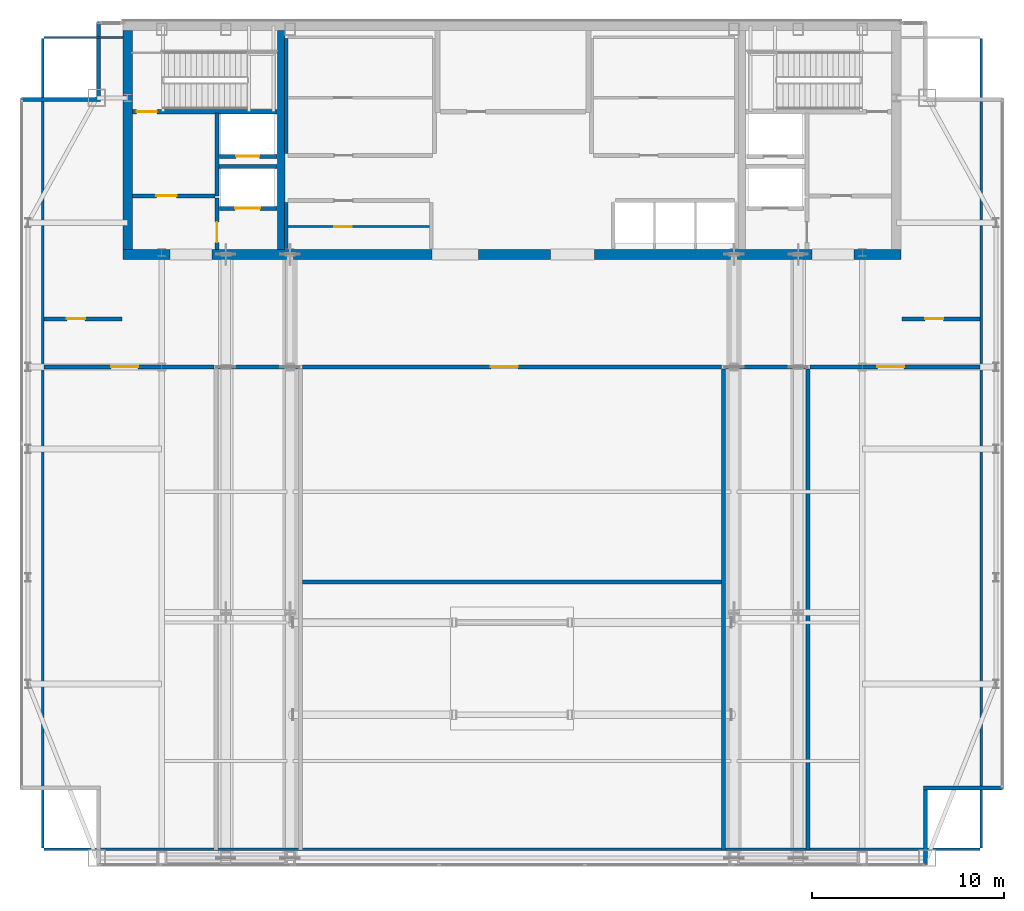
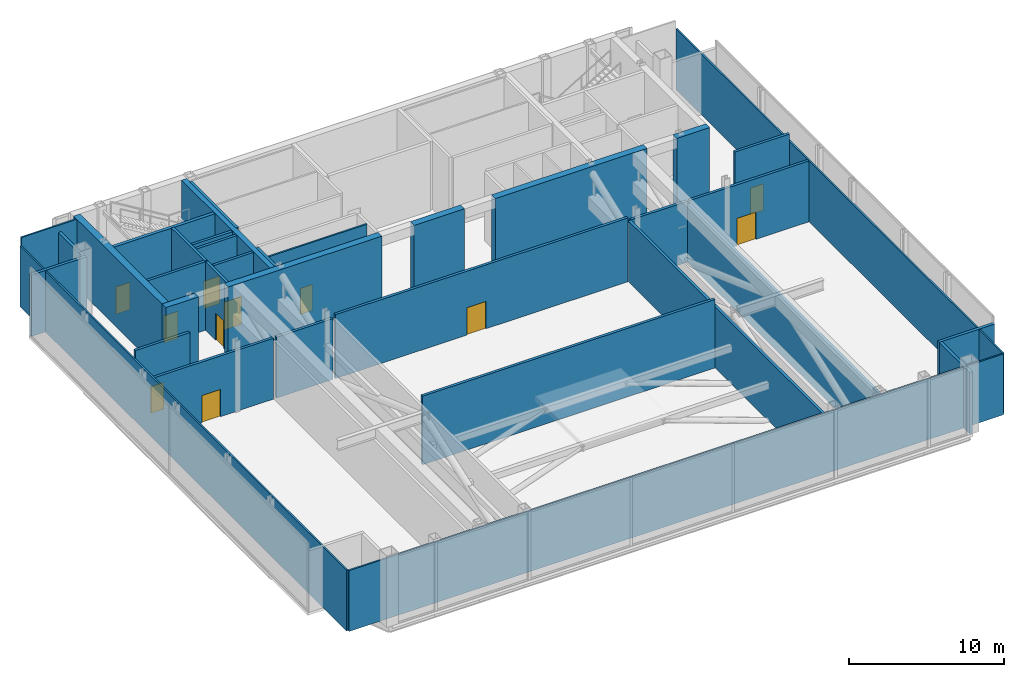
# One storey, part 23 of 26: 35 walls, 11 doors, 11 openings.
"""IFC4 building model written with IfcOpenShell, lengths in metres."""

import ifcopenshell
import ifcopenshell.guid

model = None  # the IFC model being written
_history = None  # IfcOwnerHistory: only IFC2X3 demands one
_inside = {}  # id of a spatial element -> (the spatial element, [elements in it])
_under = {}  # id of a project, library or spatial element -> (it, [spatial elements below it])
_declared = {}  # id of a project -> (the project, [libraries it declares])
_typed = {}  # id of a type object -> (the type object, [elements of that type])
_made_of = {}  # id of a material, layer set ... -> (it, [elements and type objects made of it])


def new_model(schema):
    """Start an empty IFC model of exactly this schema.

    Asked for "IFC4X3", IfcOpenShell would pick the latest addendum, in which some entities
    have other attributes; the version numbers below select the first issue.
    IFC2X3 requires an IfcOwnerHistory on every rooted entity: one is made here for all.
    """
    global model, _history
    if schema == "IFC4X3":
        model = ifcopenshell.file(schema_version=(4, 3, 0, 0))
    else:
        model = ifcopenshell.file(schema=schema)
    _inside.clear()
    _under.clear()
    _declared.clear()
    _typed.clear()
    _made_of.clear()
    _history = None
    if model.schema == "IFC2X3":
        org = make("IfcOrganization", Name="unknown")
        user = make(
            "IfcPersonAndOrganization",
            ThePerson=make("IfcPerson", FamilyName="unknown"),
            TheOrganization=org,
        )
        app = make(
            "IfcApplication",
            ApplicationDeveloper=org,
            Version="unknown",
            ApplicationFullName="unknown",
            ApplicationIdentifier="unknown",
        )
        _history = make(
            "IfcOwnerHistory",
            OwningUser=user,
            OwningApplication=app,
            ChangeAction="ADDED",
            CreationDate=0,
        )
    return model


def make(cls, **values):
    """One entity of the class cls with the attributes given. An attribute that is None is left unset."""
    return model.create_entity(
        cls, **{name: value for name, value in values.items() if value is not None}
    )


def rooted(cls, **values):
    """An entity with a GlobalId (a new one), such as an element, a storey or a relation."""
    return make(cls, GlobalId=ifcopenshell.guid.new(), OwnerHistory=_history, **values)


def si_unit(unit_type, name, prefix=None):
    """IfcSIUnit, for example si_unit("LENGTHUNIT", "METRE", prefix="MILLI")."""
    return make("IfcSIUnit", UnitType=unit_type, Prefix=prefix, Name=name)


def assignment(units):
    """IfcUnitAssignment: the units of a project."""
    return None if units is None else make("IfcUnitAssignment", Units=units)


def point(xyz):
    """IfcCartesianPoint."""
    return None if xyz is None else make("IfcCartesianPoint", Coordinates=xyz)


def direction(xyz):
    """IfcDirection."""
    return None if xyz is None else make("IfcDirection", DirectionRatios=xyz)


def frame(location, z_axis=None, x_axis=None):
    """IfcAxis2Placement3D, a coordinate frame: its origin and axes. An axis left out is left unset."""
    return make(
        "IfcAxis2Placement3D",
        Location=point(location),
        Axis=direction(z_axis),
        RefDirection=direction(x_axis),
    )


def frame_2d(location, x_axis=None):
    """IfcAxis2Placement2D, a coordinate frame in the plane: its origin and x axis."""
    return make(
        "IfcAxis2Placement2D", Location=point(location), RefDirection=direction(x_axis)
    )


def origin():
    """The frame at (0, 0, 0) with its axes left unset."""
    return frame((0.0, 0.0, 0.0))


def place(relative_to, where):
    """IfcLocalPlacement: puts the frame where relative to a parent placement (None: the world)."""
    return make(
        "IfcLocalPlacement", PlacementRelTo=relative_to, RelativePlacement=where
    )


def context(
    kind, dimensions, precision=None, world=None, true_north=None, identifier=None
):
    """IfcGeometricRepresentationContext, for example the 3D "Model" context."""
    return make(
        "IfcGeometricRepresentationContext",
        ContextIdentifier=identifier,
        ContextType=kind,
        CoordinateSpaceDimension=dimensions,
        Precision=precision,
        WorldCoordinateSystem=world,
        TrueNorth=true_north,
    )


def subcontext(parent, identifier, kind, view, scale=None):
    """IfcGeometricRepresentationSubContext, for example "Body" below "Model"."""
    return make(
        "IfcGeometricRepresentationSubContext",
        ContextIdentifier=identifier,
        ContextType=kind,
        ParentContext=parent,
        TargetScale=scale,
        TargetView=view,
    )


def project(units=None, contexts=None):
    """IfcProject with its units and contexts."""
    return rooted(
        "IfcProject",
        Name="project",
        RepresentationContexts=contexts,
        UnitsInContext=assignment(units),
    )


def spatial(cls, under=None, at=None, **own):
    """A site, building, storey or space (cls), placed at a placement, below another one or the project."""
    s = rooted(cls, ObjectPlacement=at, **own)
    if under is not None:
        _under.setdefault(under.id(), (under, []))[1].append(s)
    return s


def profile(cls, at=None, kind="AREA", **sizes):
    """A parametric profile (cls). Its sizes go by their IFC names, for example OverallWidth=200.0."""
    return make(cls, ProfileType=kind, Position=at, **sizes)


def rectangle(**sizes):
    """IfcRectangleProfileDef."""
    return profile("IfcRectangleProfileDef", **sizes)


def extrude(swept, where, along, depth):
    """IfcExtrudedAreaSolid: the profile swept, set in the frame where, extruded along a direction by depth."""
    return make(
        "IfcExtrudedAreaSolid",
        SweptArea=swept,
        Position=where,
        ExtrudedDirection=direction(along),
        Depth=depth,
    )


def shape(context_of_items, identifier, shape_type, items):
    """IfcShapeRepresentation: the items that make up one representation, for example the "Body"."""
    return make(
        "IfcShapeRepresentation",
        ContextOfItems=context_of_items,
        RepresentationIdentifier=identifier,
        RepresentationType=shape_type,
        Items=items,
    )


def material(Name=None, Category=None):
    """IfcMaterial."""
    return make("IfcMaterial", Name=Name, Category=Category)


def layer(
    of_material, thickness, ventilated=None, Name=None, Category=None, Priority=None
):
    """IfcMaterialLayer: one layer of a wall or slab, of a material (None: an air gap)."""
    return make(
        "IfcMaterialLayer",
        Material=of_material,
        LayerThickness=thickness,
        IsVentilated=ventilated,
        Name=Name,
        Category=Category,
        Priority=Priority,
    )


def layer_set(layers, Name=None):
    """IfcMaterialLayerSet."""
    return make("IfcMaterialLayerSet", MaterialLayers=layers, LayerSetName=Name)


def made_of(thing, what):
    """Note that an element or type object is made of a material, layer set ...; save() writes the relation."""
    if what is not None:
        _made_of.setdefault(what.id(), (what, []))[1].append(thing)
    return thing


def type_object(cls, material=None, **own):
    """A type object (cls), such as IfcWallType, which elements share."""
    return made_of(rooted(cls, **own), material)


def element(
    cls,
    number,
    at=None,
    inside=None,
    cuts=None,
    type_object=None,
    material=None,
    context=None,
    identifier="Body",
    shape_type=None,
    held_by="IfcProductDefinitionShape",
    body=None,
    shapes=None,
    **own,
):
    """One element of the class cls, such as IfcWall. Its Tag is "e" and its number.

    at: its placement. inside: the storey or other place that contains it. cuts: it is an
    opening in that element (IfcRelVoidsElement). A single representation is given by context,
    identifier, shape_type and body (its items); several are given by shapes. held_by: the class
    of the entity that holds the representations. save() writes the other relations.
    """
    e = rooted(cls, Tag="e%d" % number, ObjectPlacement=at, **own)
    if body is not None:
        shapes = [shape(context, identifier, shape_type, body)]
    if shapes is not None:
        e.Representation = make(held_by, Representations=shapes)
    if inside is not None:
        _inside.setdefault(inside.id(), (inside, []))[1].append(e)
    if cuts is not None:
        rooted(
            "IfcRelVoidsElement", RelatingBuildingElement=cuts, RelatedOpeningElement=e
        )
    if type_object is not None:
        _typed.setdefault(type_object.id(), (type_object, []))[1].append(e)
    return made_of(e, material)


def fill(opening, filler):
    """IfcRelFillsElement: the door or window that sits in an opening."""
    return rooted(
        "IfcRelFillsElement",
        RelatingOpeningElement=opening,
        RelatedBuildingElement=filler,
    )


def aggregate(whole, parts):
    """IfcRelAggregates: a whole, such as a stair, and the parts it consists of."""
    return rooted("IfcRelAggregates", RelatingObject=whole, RelatedObjects=parts)


def save(model, path):
    """Write the relations noted so far, then the file.

    IfcRelAggregates (storeys below a building ...), IfcRelContainedInSpatialStructure (elements
    in a storey), IfcRelDefinesByType, IfcRelAssociatesMaterial and IfcRelDeclares: one each for
    every whole, place, type object, material and project.
    """
    for whole, parts in _under.values():
        aggregate(whole, parts)
    for where, things in _inside.values():
        rooted(
            "IfcRelContainedInSpatialStructure",
            RelatedElements=things,
            RelatingStructure=where,
        )
    for kind, things in _typed.values():
        rooted("IfcRelDefinesByType", RelatedObjects=things, RelatingType=kind)
    for what, things in _made_of.values():
        rooted("IfcRelAssociatesMaterial", RelatedObjects=things, RelatingMaterial=what)
    for by, libraries in _declared.values():
        rooted("IfcRelDeclares", RelatingContext=by, RelatedDefinitions=libraries)
    model.write(path)


model = new_model("IFC4")

# Units and contexts
model_context = context("Model", 3, precision=1e-05, world=origin(), true_north=direction((0.0, 1.0)))
body_context = subcontext(model_context, "Body", "Model", "MODEL_VIEW")
ifc_project = project(units=[si_unit("LENGTHUNIT", "METRE"), si_unit("AREAUNIT", "SQUARE_METRE"), si_unit("VOLUMEUNIT", "CUBIC_METRE"), si_unit("PLANEANGLEUNIT", "RADIAN"), si_unit("MASSUNIT", "GRAM", prefix="KILO")], contexts=[model_context])

# Site, building, storey
site_placement = place(None, origin())
site = spatial("IfcSite", under=ifc_project, at=site_placement, CompositionType="ELEMENT")
building_placement = place(site_placement, origin())
building = spatial("IfcBuilding", under=site, at=building_placement, Name="Khoronbel Lancet Exchange", CompositionType="ELEMENT")
storey_placement = place(building_placement, frame((0.0, 0.0, 350.60009765625)))
storey = spatial("IfcBuildingStorey", under=building, at=storey_placement, Name="L91", CompositionType="ELEMENT", Elevation=350.60009765625)

# Walls
ifc_material_1 = material(Name="Concrete C60/75", Category="concrete")
ifc_layer_1 = layer(ifc_material_1, 0.5, Name="Concrete C60/75")
ifc_layer_set_1 = layer_set([ifc_layer_1], Name="Concrete C60/75")
wall_type_1 = type_object("IfcWallType", Name="WL-CW4", PredefinedType="SHEAR", material=ifc_layer_set_1)
wall_1_placement = place(storey_placement, frame((16.449951171875, 41.800048828125, 0.0), z_axis=(0.0, 0.0, 1.0), x_axis=(0.0, 1.0, 0.0)))
element("IfcWall", 1, at=wall_1_placement, inside=storey, type_object=wall_type_1, Name="Level L91 rear core west shear wall", PredefinedType="SHEAR", context=body_context, shape_type="SweptSolid", body=[
    extrude(rectangle(XDim=11.39990234375, YDim=0.5, at=frame_2d((5.699951171875, 0.0))), origin(), (0.0, 0.0, 1.0), 5.39990234375),
])
wall_2_placement = place(storey_placement, frame((18.64990234375, 41.550048828125, 0.0), z_axis=(0.0, 0.0, 1.0), x_axis=(-1.0, 0.0, 0.0)))
element("IfcWall", 2, at=wall_2_placement, inside=storey, type_object=wall_type_1, Name="Level L91 rear core south shear wall pier P1", PredefinedType="SHEAR", context=body_context, shape_type="SweptSolid", body=[
    extrude(rectangle(XDim=2.449951171875, YDim=0.5, at=frame_2d((1.22509765625, 0.0))), origin(), (0.0, 0.0, 1.0), 5.39990234375),
])
wall_3_placement = place(storey_placement, frame((32.300048828125, 41.550048828125, 0.0), z_axis=(0.0, 0.0, 1.0), x_axis=(-1.0, 0.0, 0.0)))
element("IfcWall", 3, at=wall_3_placement, inside=storey, type_object=wall_type_1, Name="Level L91 rear core south shear wall pier P2", PredefinedType="SHEAR", context=body_context, shape_type="SweptSolid", body=[
    extrude(rectangle(XDim=11.449951171875, YDim=0.5, at=frame_2d((5.72509765625, 0.0))), origin(), (0.0, 0.0, 1.0), 5.39990234375),
])
wall_4_placement = place(storey_placement, frame((38.449951171875, 41.550048828125, 0.0), z_axis=(0.0, 0.0, 1.0), x_axis=(-1.0, 0.0, 0.0)))
element("IfcWall", 4, at=wall_4_placement, inside=storey, type_object=wall_type_1, Name="Level L91 rear core south shear wall pier P3", PredefinedType="SHEAR", context=body_context, shape_type="SweptSolid", body=[
    extrude(rectangle(XDim=3.75, YDim=0.5, at=frame_2d((1.875, 0.0))), origin(), (0.0, 0.0, 1.0), 5.39990234375),
])
wall_5_placement = place(storey_placement, frame((52.050048828125, 41.550048828125, 0.0), z_axis=(0.0, 0.0, 1.0), x_axis=(-1.0, 0.0, 0.0)))
element("IfcWall", 5, at=wall_5_placement, inside=storey, type_object=wall_type_1, Name="Level L91 rear core south shear wall pier P4", PredefinedType="SHEAR", context=body_context, shape_type="SweptSolid", body=[
    extrude(rectangle(XDim=11.300048828125, YDim=0.5, at=frame_2d((5.64990234375, 0.0))), origin(), (0.0, 0.0, 1.0), 5.39990234375),
])
wall_6_placement = place(storey_placement, frame((56.699951171875, 41.550048828125, 0.0), z_axis=(0.0, 0.0, 1.0), x_axis=(-1.0, 0.0, 0.0)))
element("IfcWall", 6, at=wall_6_placement, inside=storey, type_object=wall_type_1, Name="Level L91 rear core south shear wall pier P5", PredefinedType="SHEAR", context=body_context, shape_type="SweptSolid", body=[
    extrude(rectangle(XDim=2.449951171875, YDim=0.5, at=frame_2d((1.22509765625, 0.0))), origin(), (0.0, 0.0, 1.0), 5.39990234375),
])
ifc_material_2 = material(Name="Precast concrete C40/50", Category="concrete")
ifc_layer_2 = layer(ifc_material_2, 0.25, Name="Precast concrete C40/50")
ifc_layer_set_2 = layer_set([ifc_layer_2], Name="Precast concrete C40/50")
wall_type_2 = type_object("IfcWallType", Name="WL-EXT250", PredefinedType="SOLIDWALL", material=ifc_layer_set_2)
wall_7_placement = place(storey_placement, frame((10.919921875, 49.610107421875, 0.0), z_axis=(0.0, 0.0, 1.0), x_axis=(1.0, 0.0, 0.0)))
element("IfcWall", 7, at=wall_7_placement, inside=storey, type_object=wall_type_2, Name="Level L91 notched-corner limestone pier 04", PredefinedType="SOLIDWALL", context=body_context, shape_type="SweptSolid", body=[
    extrude(rectangle(XDim=4.130126953125, YDim=0.219970703125, at=frame_2d((2.06494140625, 0.0))), origin(), (0.0, 0.0, 1.0), 4.83984375),
])
wall_8_placement = place(storey_placement, frame((14.93994140625, 49.719970703125, 0.0), z_axis=(0.0, 0.0, 1.0), x_axis=(0.0, 1.0, 0.0)))
element("IfcWall", 8, at=wall_8_placement, inside=storey, type_object=wall_type_2, Name="Level L91 notched-corner limestone pier 05", PredefinedType="SOLIDWALL", context=body_context, shape_type="SweptSolid", body=[
    extrude(rectangle(XDim=3.909912109375, YDim=0.219970703125, at=frame_2d((1.955078125, 0.0))), origin(), (0.0, 0.0, 1.0), 4.83984375),
])
wall_9_placement = place(storey_placement, frame((61.97998046875, 13.7900390625, 0.0), z_axis=(0.0, 0.0, 1.0), x_axis=(-1.0, 0.0, 0.0)))
element("IfcWall", 9, at=wall_9_placement, inside=storey, type_object=wall_type_2, Name="Level L91 notched-corner limestone pier 10", PredefinedType="SOLIDWALL", context=body_context, shape_type="SweptSolid", body=[
    extrude(rectangle(XDim=4.1298828125, YDim=0.219970703125, at=frame_2d((2.06494140625, 0.0))), origin(), (0.0, 0.0, 1.0), 4.83984375),
])
wall_10_placement = place(storey_placement, frame((57.9599609375, 13.679931640625, 0.0), z_axis=(0.0, 0.0, 1.0), x_axis=(0.0, -1.0, 0.0)))
element("IfcWall", 10, at=wall_10_placement, inside=storey, type_object=wall_type_2, Name="Level L91 notched-corner limestone pier 11", PredefinedType="SOLIDWALL", context=body_context, shape_type="SweptSolid", body=[
    extrude(rectangle(XDim=3.909912109375, YDim=0.219970703125, at=frame_2d((1.955078125, 0.0))), origin(), (0.0, 0.0, 1.0), 4.83984375),
])
ifc_material_3 = material(Name="Acoustic Metal-Stud & Mineral-Wool Gypsum Partition 120 mm", Category="gypsum")
ifc_layer_3 = layer(ifc_material_3, 0.1201171875, Name="Acoustic Metal-Stud & Mineral-Wool Gypsum Partition 120 mm")
ifc_layer_set_3 = layer_set([ifc_layer_3], Name="Acoustic Metal-Stud & Mineral-Wool Gypsum Partition 120 mm")
wall_type_3 = type_object("IfcWallType", Name="WL-PRT120", PredefinedType="PARTITIONING", material=ifc_layer_set_3)
for number, where, z_axis, x_axis, name in (
    (11, (12.030029296875, 10.6650390625, 0.0), (0.0, 0.0, 1.0), (0.0, 1.0, 0.0), "Level L91 interior partition PW-LIN-W"),
    (12, (60.8701171875, 10.6650390625, 0.0), (0.0, 0.0, 1.0), (0.0, 1.0, 0.0), "Level L91 interior partition PW-LIN-E"),
):
    element("IfcWall", number, at=place(storey_placement, frame(where, z_axis=z_axis, x_axis=x_axis)), inside=storey, type_object=wall_type_3, Name=name, PredefinedType="PARTITIONING", context=body_context, shape_type="SweptSolid", body=[
        extrude(rectangle(XDim=42.10986328125, YDim=0.1201171875, at=frame_2d((21.054931640625, 0.0))), origin(), (0.0, 0.0, 1.0), 4.789794921875),
    ])
wall_11_placement = place(storey_placement, frame((12.094970703125, 52.840087890625, 0.0), z_axis=(0.0, 0.0, 1.0), x_axis=(1.0, 0.0, 0.0)))
element("IfcWall", 13, at=wall_11_placement, inside=storey, type_object=wall_type_3, Name="Level L91 interior partition PW-LIN-NW", PredefinedType="PARTITIONING", context=body_context, shape_type="SweptSolid", body=[
    extrude(rectangle(XDim=4.10498046875, YDim=0.1201171875, at=frame_2d((2.052490234375, 0.0))), origin(), (0.0, 0.0, 1.0), 5.39990234375),
])
wall_12_placement = place(storey_placement, frame((12.094970703125, 10.60009765625, 0.0), z_axis=(0.0, 0.0, 1.0), x_axis=(1.0, 0.0, 0.0)))
element("IfcWall", 14, at=wall_12_placement, inside=storey, type_object=wall_type_3, Name="Level L91 interior partition PW-LIN-S", PredefinedType="PARTITIONING", context=body_context, shape_type="SweptSolid", body=[
    extrude(rectangle(XDim=48.7099609375, YDim=0.1201171875, at=frame_2d((24.35498046875, 0.0))), origin(), (0.0, 0.0, 1.0), 4.789794921875),
])

# Wall, opening, door
ifc_material_4 = material(Name="Fire-Rated Metal-Stud & Mineral-Wool Gypsum Partition 120 mm", Category="gypsum")
ifc_layer_4 = layer(ifc_material_4, 0.1201171875, Name="Fire-Rated Metal-Stud & Mineral-Wool Gypsum Partition 120 mm")
ifc_layer_set_4 = layer_set([ifc_layer_4], Name="Fire-Rated Metal-Stud & Mineral-Wool Gypsum Partition 120 mm")
wall_type_4 = type_object("IfcWallType", Name="WL-PRT120F", PredefinedType="PARTITIONING", material=ifc_layer_set_4)
wall_13_placement = place(storey_placement, frame((24.804931640625, 43.001953125, 0.0), z_axis=(0.0, 0.0, 1.0), x_axis=(1.0, 0.0, 0.0)))
wall_13 = element("IfcWall", 15, at=wall_13_placement, inside=storey, type_object=wall_type_4, Name="Level L91 interior partition CW-PM-RH", PredefinedType="PARTITIONING", context=body_context, shape_type="SweptSolid", body=[
    extrude(rectangle(XDim=7.340087890625, YDim=0.1201171875, at=frame_2d((3.669921875, 0.0))), origin(), (0.0, 0.0, 1.0), 5.39990234375),
])
opening_1_placement = place(wall_13_placement, frame((2.39990234375, 0.0, 0.0)))
opening_1 = element("IfcOpeningElement", 16, at=opening_1_placement, cuts=wall_13, Name="Opening FD4", PredefinedType="OPENING", context=body_context, shape_type="SweptSolid", body=[
    extrude(rectangle(XDim=0.89990234375, YDim=2.050048828125, at=frame_2d((0.449951171875, 1.02490234375))), frame((0.0, 0.070068359375, 0.0), z_axis=(0.0, -1.0, 0.0), x_axis=(1.0, 0.0, 0.0)), (0.0, 0.0, 1.0), 0.14013671875),
])
ifc_material_5 = material(Name="Fire-Rated Steel Core Support Door Assembly", Category="steel")
door_type_1 = type_object("IfcDoorType", Name="DR-FD4", OperationType="NOTDEFINED", PredefinedType="DOOR", material=ifc_material_5)
door_1_placement = place(opening_1_placement, origin())
door_1 = element("IfcDoor", 17, at=door_1_placement, inside=storey, type_object=door_type_1, Name="Core PM inner store door L91-1", OperationType="SINGLE_SWING_LEFT", OverallHeight=2.050048828125, OverallWidth=0.89990234375, PredefinedType="DOOR", context=body_context, shape_type="SweptSolid", body=[
    extrude(rectangle(XDim=0.89990234375, YDim=2.050048828125, at=frame_2d((0.449951171875, 1.02490234375))), frame((0.0, 0.02490234375, 0.0), z_axis=(0.0, -1.0, 0.0), x_axis=(1.0, 0.0, 0.0)), (0.0, 0.0, 1.0), 0.050048828125),
])
fill(opening_1, door_1)

ifc_material_6 = material(Name="Autoclaved Aerated Concrete Blockwork 200 mm", Category="masonry")
ifc_layer_5 = layer(ifc_material_6, 0.199951171875, Name="Autoclaved Aerated Concrete Blockwork 200 mm")
ifc_layer_set_5 = layer_set([ifc_layer_5], Name="Autoclaved Aerated Concrete Blockwork 200 mm")
wall_type_5 = type_object("IfcWallType", Name="WL-PRT200", PredefinedType="PARTITIONING", material=ifc_layer_set_5)
wall_14_placement = place(storey_placement, frame((24.2099609375, 43.949951171875, 0.0), z_axis=(0.0, 0.0, 1.0), x_axis=(-1.0, 0.0, 0.0)))
wall_14 = element("IfcWall", 18, at=wall_14_placement, inside=storey, type_object=wall_type_5, Name="Level L91 elevator hoistway landing front wall SVLW", PredefinedType="PARTITIONING", context=body_context, shape_type="SweptSolid", body=[
    extrude(rectangle(XDim=2.969970703125, YDim=0.199951171875, at=frame_2d((1.48486328125, 0.0))), origin(), (0.0, 0.0, 1.0), 5.39990234375),
])
opening_2_placement = place(wall_14_placement, frame((0.860107421875, 0.0, 0.0)))
opening_2 = element("IfcOpeningElement", 19, at=opening_2_placement, cuts=wall_14, Name="Opening LD-SVL1", PredefinedType="OPENING", context=body_context, shape_type="SweptSolid", body=[
    extrude(rectangle(XDim=1.300048828125, YDim=2.179931640625, at=frame_2d((0.64990234375, 1.08984375))), frame((0.0, 0.10986328125, 0.0), z_axis=(0.0, -1.0, 0.0), x_axis=(1.0, 0.0, 0.0)), (0.0, 0.0, 1.0), 0.219970703125),
])
ifc_material_7 = material(Name="Heavy-Duty Bi-Parting Goods Lift Landing Door", Category="steel")
door_type_2 = type_object("IfcDoorType", Name="DR-LD-SVL", OperationType="NOTDEFINED", PredefinedType="DOOR", material=ifc_material_7)
door_2_placement = place(opening_2_placement, origin())
door_2 = element("IfcDoor", 20, at=door_2_placement, inside=storey, type_object=door_type_2, Name="Elevator landing sliding door LD-SVL1 L91", OperationType="SLIDING_TO_LEFT", OverallHeight=2.179931640625, OverallWidth=1.300048828125, PredefinedType="DOOR", context=body_context, shape_type="SweptSolid", body=[
    extrude(rectangle(XDim=1.300048828125, YDim=2.179931640625, at=frame_2d((0.64990234375, 1.08984375))), frame((0.0, 0.02490234375, 0.0), z_axis=(0.0, -1.0, 0.0), x_axis=(1.0, 0.0, 0.0)), (0.0, 0.0, 1.0), 0.050048828125),
])
fill(opening_2, door_2)

wall_15_placement = place(storey_placement, frame((24.2099609375, 46.64990234375, 0.0), z_axis=(0.0, 0.0, 1.0), x_axis=(-1.0, 0.0, 0.0)))
wall_15 = element("IfcWall", 21, at=wall_15_placement, inside=storey, type_object=wall_type_5, Name="Level L91 elevator hoistway landing front wall FFLW", PredefinedType="PARTITIONING", context=body_context, shape_type="SweptSolid", body=[
    extrude(rectangle(XDim=2.969970703125, YDim=0.199951171875, at=frame_2d((1.48486328125, 0.0))), origin(), (0.0, 0.0, 1.0), 5.39990234375),
])
opening_3_placement = place(wall_15_placement, frame((0.909912109375, 0.0, 0.0)))
opening_3 = element("IfcOpeningElement", 22, at=opening_3_placement, cuts=wall_15, Name="Opening LD-FFL1", PredefinedType="OPENING", context=body_context, shape_type="SweptSolid", body=[
    extrude(rectangle(XDim=1.199951171875, YDim=2.179931640625, at=frame_2d((0.60009765625, 1.08984375))), frame((0.0, 0.10986328125, 0.0), z_axis=(0.0, -1.0, 0.0), x_axis=(1.0, 0.0, 0.0)), (0.0, 0.0, 1.0), 0.219970703125),
])
ifc_material_8 = material(Name="Fire-Rated Stainless Bi-Parting Firefighting Lift Door", Category="steel")
door_type_3 = type_object("IfcDoorType", Name="DR-LD-FFL", OperationType="NOTDEFINED", PredefinedType="DOOR", material=ifc_material_8)
door_3_placement = place(opening_3_placement, origin())
door_3 = element("IfcDoor", 23, at=door_3_placement, inside=storey, type_object=door_type_3, Name="Elevator landing sliding door LD-FFL1 L91", OperationType="SLIDING_TO_LEFT", OverallHeight=2.179931640625, OverallWidth=1.199951171875, PredefinedType="DOOR", context=body_context, shape_type="SweptSolid", body=[
    extrude(rectangle(XDim=1.199951171875, YDim=2.179931640625, at=frame_2d((0.60009765625, 1.08984375))), frame((0.0, 0.02490234375, 0.0), z_axis=(0.0, -1.0, 0.0), x_axis=(1.0, 0.0, 0.0)), (0.0, 0.0, 1.0), 0.050048828125),
])
fill(opening_3, door_3)

# Wall
wall_16_placement = place(storey_placement, frame((21.10009765625, 44.60009765625, 0.0), z_axis=(0.0, 0.0, 1.0), x_axis=(0.0, 1.0, 0.0)))
element("IfcWall", 24, at=wall_16_placement, inside=storey, type_object=wall_type_5, Name="Level L91 interior partition CW-FFLW-E", PredefinedType="PARTITIONING", context=body_context, shape_type="SweptSolid", body=[
    extrude(rectangle(XDim=4.2998046875, YDim=0.199951171875, at=frame_2d((2.14990234375, 0.0))), origin(), (0.0, 0.0, 1.0), 5.39990234375),
])

# Wall, opening, door
wall_17_placement = place(storey_placement, frame((16.699951171875, 44.60009765625, 0.0), z_axis=(0.0, 0.0, 1.0), x_axis=(1.0, 0.0, 0.0)))
wall_17 = element("IfcWall", 25, at=wall_17_placement, inside=storey, type_object=wall_type_5, Name="Level L91 interior partition CW-FFLW-S", PredefinedType="PARTITIONING", context=body_context, shape_type="SweptSolid", body=[
    extrude(rectangle(XDim=4.300048828125, YDim=0.199951171875, at=frame_2d((2.14990234375, 0.0))), origin(), (0.0, 0.0, 1.0), 5.39990234375),
])
opening_4_placement = place(wall_17_placement, frame((1.25, 0.0, 0.0)))
opening_4 = element("IfcOpeningElement", 26, at=opening_4_placement, cuts=wall_17, Name="Opening FD1", PredefinedType="OPENING", context=body_context, shape_type="SweptSolid", body=[
    extrude(rectangle(XDim=1.050048828125, YDim=2.14990234375, at=frame_2d((0.52490234375, 1.074951171875))), frame((0.0, 0.10986328125, 0.0), z_axis=(0.0, -1.0, 0.0), x_axis=(1.0, 0.0, 0.0)), (0.0, 0.0, 1.0), 0.219970703125),
])
ifc_material_9 = material(Name="Fire-Rated Painted Steel Door Assembly", Category="steel")
door_type_4 = type_object("IfcDoorType", Name="DR-FD1", OperationType="NOTDEFINED", PredefinedType="DOOR", material=ifc_material_9)
door_4_placement = place(opening_4_placement, origin())
door_4 = element("IfcDoor", 27, at=door_4_placement, inside=storey, type_object=door_type_4, Name="West firefighting lobby FD90S door L91-1", OperationType="SINGLE_SWING_LEFT", OverallHeight=2.14990234375, OverallWidth=1.050048828125, PredefinedType="DOOR", context=body_context, shape_type="SweptSolid", body=[
    extrude(rectangle(XDim=1.050048828125, YDim=2.14990234375, at=frame_2d((0.52490234375, 1.074951171875))), frame((0.0, 0.02490234375, 0.0), z_axis=(0.0, -1.0, 0.0), x_axis=(1.0, 0.0, 0.0)), (0.0, 0.0, 1.0), 0.050048828125),
])
fill(opening_4, door_4)

# Wall
wall_18_placement = place(storey_placement, frame((21.199951171875, 46.1201171875, 0.0), z_axis=(0.0, 0.0, 1.0), x_axis=(1.0, 0.0, 0.0)))
element("IfcWall", 28, at=wall_18_placement, inside=storey, type_object=wall_type_5, Name="Level L91 interior partition CW-FFL1-S", PredefinedType="PARTITIONING", context=body_context, shape_type="SweptSolid", body=[
    extrude(rectangle(XDim=3.02001953125, YDim=0.199951171875, at=frame_2d((1.510009765625, 0.0))), origin(), (0.0, 0.0, 1.0), 5.39990234375),
])

# Wall, opening, door
wall_19_placement = place(storey_placement, frame((21.10009765625, 41.800048828125, 0.0), z_axis=(0.0, 0.0, 1.0), x_axis=(0.0, 1.0, 0.0)))
wall_19 = element("IfcWall", 29, at=wall_19_placement, inside=storey, type_object=wall_type_5, Name="Level L91 interior partition CW-SVLW-W", PredefinedType="PARTITIONING", context=body_context, shape_type="SweptSolid", body=[
    extrude(rectangle(XDim=2.695068359375, YDim=0.199951171875, at=frame_2d((1.34765625, 0.0))), origin(), (0.0, 0.0, 1.0), 5.39990234375),
])
opening_5_placement = place(wall_19_placement, frame((0.3798828125, 0.0, 0.0)))
opening_5 = element("IfcOpeningElement", 30, at=opening_5_placement, cuts=wall_19, Name="Opening FD1", PredefinedType="OPENING", context=body_context, shape_type="SweptSolid", body=[
    extrude(rectangle(XDim=1.050048828125, YDim=2.14990234375, at=frame_2d((0.52490234375, 1.074951171875))), frame((0.0, 0.10986328125, 0.0), z_axis=(0.0, -1.0, 0.0), x_axis=(1.0, 0.0, 0.0)), (0.0, 0.0, 1.0), 0.219970703125),
])
door_5_placement = place(opening_5_placement, origin())
door_5 = element("IfcDoor", 31, at=door_5_placement, inside=storey, type_object=door_type_4, Name="West service lift lobby door L91-1", OperationType="SINGLE_SWING_RIGHT", OverallHeight=2.14990234375, OverallWidth=1.050048828125, PredefinedType="DOOR", context=body_context, shape_type="SweptSolid", body=[
    extrude(rectangle(XDim=1.050048828125, YDim=2.14990234375, at=frame_2d((0.52490234375, 1.074951171875))), frame((0.0, 0.02490234375, 0.0), z_axis=(0.0, -1.0, 0.0), x_axis=(1.0, 0.0, 0.0)), (0.0, 0.0, 1.0), 0.050048828125),
])
fill(opening_5, door_5)

# Walls
wall_20_placement = place(storey_placement, frame((24.699951171875, 46.804931640625, 0.0), z_axis=(0.0, 0.0, 1.0), x_axis=(0.0, 1.0, 0.0)))
element("IfcWall", 32, at=wall_20_placement, inside=storey, type_object=wall_type_5, Name="Level L91 interior partition CW-PL-RW", PredefinedType="PARTITIONING", context=body_context, shape_type="SweptSolid", body=[
    extrude(rectangle(XDim=5.989990234375, YDim=0.199951171875, at=frame_2d((2.9951171875, 0.0))), origin(), (0.0, 0.0, 1.0), 5.39990234375),
])
wall_21_placement = place(storey_placement, frame((24.699951171875, 41.85009765625, 0.0), z_axis=(0.0, 0.0, 1.0), x_axis=(0.0, 1.0, 0.0)))
element("IfcWall", 33, at=wall_21_placement, inside=storey, type_object=wall_type_5, Name="Level L91 interior partition CW-PM-RW", PredefinedType="PARTITIONING", context=body_context, shape_type="SweptSolid", body=[
    extrude(rectangle(XDim=2.39501953125, YDim=0.199951171875, at=frame_2d((1.197509765625, 0.0))), origin(), (0.0, 0.0, 1.0), 5.39990234375),
])

# Wall, opening, door
wall_22_placement = place(storey_placement, frame((12.094970703125, 35.699951171875, 0.0), z_axis=(0.0, 0.0, 1.0), x_axis=(1.0, 0.0, 0.0)))
wall_22 = element("IfcWall", 34, at=wall_22_placement, inside=storey, type_object=wall_type_5, Name="Level L91 interior partition PW-TMD-S1", PredefinedType="PARTITIONING", context=body_context, shape_type="SweptSolid", body=[
    extrude(rectangle(XDim=8.85009765625, YDim=0.199951171875, at=frame_2d((4.425048828125, 0.0))), origin(), (0.0, 0.0, 1.0), 4.789794921875),
])
opening_6_placement = place(wall_22_placement, frame((3.5, 0.0, 0.0)))
opening_6 = element("IfcOpeningElement", 35, at=opening_6_placement, cuts=wall_22, Name="Opening D7", PredefinedType="OPENING", context=body_context, shape_type="SweptSolid", body=[
    extrude(rectangle(XDim=1.39990234375, YDim=2.14990234375, at=frame_2d((0.699951171875, 1.074951171875))), frame((0.0, 0.10986328125, 0.0), z_axis=(0.0, -1.0, 0.0), x_axis=(1.0, 0.0, 0.0)), (0.0, 0.0, 1.0), 0.219970703125),
])
ifc_material_10 = material(Name="Fire-Rated Heavy Plant Double Door Assembly", Category="steel")
door_type_5 = type_object("IfcDoorType", Name="DR-D7", OperationType="NOTDEFINED", PredefinedType="DOOR", material=ifc_material_10)
door_6_placement = place(opening_6_placement, origin())
door_6 = element("IfcDoor", 36, at=door_6_placement, inside=storey, type_object=door_type_5, Name="Damper hydraulic plant door L91-1", OperationType="DOUBLE_DOOR_SINGLE_SWING", OverallHeight=2.14990234375, OverallWidth=1.39990234375, PredefinedType="DOOR", context=body_context, shape_type="SweptSolid", body=[
    extrude(rectangle(XDim=1.39990234375, YDim=2.14990234375, at=frame_2d((0.699951171875, 1.074951171875))), frame((0.0, 0.02490234375, 0.0), z_axis=(0.0, -1.0, 0.0), x_axis=(1.0, 0.0, 0.0)), (0.0, 0.0, 1.0), 0.050048828125),
])
fill(opening_6, door_6)

# Wall
wall_23_placement = place(storey_placement, frame((21.155029296875, 35.699951171875, 0.0), z_axis=(0.0, 0.0, 1.0), x_axis=(1.0, 0.0, 0.0)))
element("IfcWall", 37, at=wall_23_placement, inside=storey, type_object=wall_type_5, Name="Level L91 interior partition PW-TMD-S2", PredefinedType="PARTITIONING", context=body_context, shape_type="SweptSolid", body=[
    extrude(rectangle(XDim=4.18994140625, YDim=0.199951171875, at=frame_2d((2.094970703125, 0.0))), origin(), (0.0, 0.0, 1.0), 4.789794921875),
])

# Wall, opening, door
wall_24_placement = place(storey_placement, frame((25.554931640625, 35.699951171875, 0.0), z_axis=(0.0, 0.0, 1.0), x_axis=(1.0, 0.0, 0.0)))
wall_24 = element("IfcWall", 38, at=wall_24_placement, inside=storey, type_object=wall_type_5, Name="Level L91 interior partition PW-TMD-S3", PredefinedType="PARTITIONING", context=body_context, shape_type="SweptSolid", body=[
    extrude(rectangle(XDim=21.7900390625, YDim=0.199951171875, at=frame_2d((10.89501953125, 0.0))), origin(), (0.0, 0.0, 1.0), 5.02978515625),
])
opening_7_placement = place(wall_24_placement, frame((9.800048828125, 0.0, 0.0)))
opening_7 = element("IfcOpeningElement", 39, at=opening_7_placement, cuts=wall_24, Name="Opening D7", PredefinedType="OPENING", context=body_context, shape_type="SweptSolid", body=[
    extrude(rectangle(XDim=1.39990234375, YDim=2.14990234375, at=frame_2d((0.699951171875, 1.074951171875))), frame((0.0, 0.10986328125, 0.0), z_axis=(0.0, -1.0, 0.0), x_axis=(1.0, 0.0, 0.0)), (0.0, 0.0, 1.0), 0.219970703125),
])
door_7_placement = place(opening_7_placement, origin())
door_7 = element("IfcDoor", 40, at=door_7_placement, inside=storey, type_object=door_type_5, Name="Tuned mass damper chamber double door L91-1", OperationType="DOUBLE_DOOR_SINGLE_SWING", OverallHeight=2.14990234375, OverallWidth=1.39990234375, PredefinedType="DOOR", context=body_context, shape_type="SweptSolid", body=[
    extrude(rectangle(XDim=1.39990234375, YDim=2.14990234375, at=frame_2d((0.699951171875, 1.074951171875))), frame((0.0, 0.02490234375, 0.0), z_axis=(0.0, -1.0, 0.0), x_axis=(1.0, 0.0, 0.0)), (0.0, 0.0, 1.0), 0.050048828125),
])
fill(opening_7, door_7)

# Wall
wall_25_placement = place(storey_placement, frame((47.554931640625, 35.699951171875, 0.0), z_axis=(0.0, 0.0, 1.0), x_axis=(1.0, 0.0, 0.0)))
element("IfcWall", 41, at=wall_25_placement, inside=storey, type_object=wall_type_5, Name="Level L91 interior partition PW-TMD-S4", PredefinedType="PARTITIONING", context=body_context, shape_type="SweptSolid", body=[
    extrude(rectangle(XDim=4.190185546875, YDim=0.199951171875, at=frame_2d((2.09521484375, 0.0))), origin(), (0.0, 0.0, 1.0), 4.789794921875),
])

# Wall, opening, door
wall_26_placement = place(storey_placement, frame((51.955078125, 35.699951171875, 0.0), z_axis=(0.0, 0.0, 1.0), x_axis=(1.0, 0.0, 0.0)))
wall_26 = element("IfcWall", 42, at=wall_26_placement, inside=storey, type_object=wall_type_5, Name="Level L91 interior partition PW-TMD-S5", PredefinedType="PARTITIONING", context=body_context, shape_type="SweptSolid", body=[
    extrude(rectangle(XDim=8.849853515625, YDim=0.199951171875, at=frame_2d((4.4248046875, 0.0))), origin(), (0.0, 0.0, 1.0), 4.789794921875),
])
opening_8_placement = place(wall_26_placement, frame((3.5, 0.0, 0.0)))
opening_8 = element("IfcOpeningElement", 43, at=opening_8_placement, cuts=wall_26, Name="Opening D7", PredefinedType="OPENING", context=body_context, shape_type="SweptSolid", body=[
    extrude(rectangle(XDim=1.39990234375, YDim=2.14990234375, at=frame_2d((0.699951171875, 1.074951171875))), frame((0.0, 0.10986328125, 0.0), z_axis=(0.0, -1.0, 0.0), x_axis=(1.0, 0.0, 0.0)), (0.0, 0.0, 1.0), 0.219970703125),
])
door_8_placement = place(opening_8_placement, origin())
door_8 = element("IfcDoor", 44, at=door_8_placement, inside=storey, type_object=door_type_5, Name="Crown telemetry plant door L91-1", OperationType="DOUBLE_DOOR_SINGLE_SWING", OverallHeight=2.14990234375, OverallWidth=1.39990234375, PredefinedType="DOOR", context=body_context, shape_type="SweptSolid", body=[
    extrude(rectangle(XDim=1.39990234375, YDim=2.14990234375, at=frame_2d((0.699951171875, 1.074951171875))), frame((0.0, 0.02490234375, 0.0), z_axis=(0.0, -1.0, 0.0), x_axis=(1.0, 0.0, 0.0)), (0.0, 0.0, 1.0), 0.050048828125),
])
fill(opening_8, door_8)

# Walls
wall_27_placement = place(storey_placement, frame((47.449951171875, 10.56494140625, 0.0), z_axis=(0.0, 0.0, 1.0), x_axis=(0.0, 1.0, 0.0)))
element("IfcWall", 45, at=wall_27_placement, inside=storey, type_object=wall_type_5, Name="Level L91 interior partition PW-TMD-E2", PredefinedType="PARTITIONING", context=body_context, shape_type="SweptSolid", body=[
    extrude(rectangle(XDim=25.030029296875, YDim=0.199951171875, at=frame_2d((12.51513671875, 0.0))), origin(), (0.0, 0.0, 1.0), 4.789794921875),
])
wall_28_placement = place(storey_placement, frame((51.85009765625, 10.56494140625, 0.0), z_axis=(0.0, 0.0, 1.0), x_axis=(0.0, 1.0, 0.0)))
element("IfcWall", 46, at=wall_28_placement, inside=storey, type_object=wall_type_5, Name="Level L91 interior partition PW-TMD-E1", PredefinedType="PARTITIONING", context=body_context, shape_type="SweptSolid", body=[
    extrude(rectangle(XDim=25.030029296875, YDim=0.199951171875, at=frame_2d((12.51513671875, 0.0))), origin(), (0.0, 0.0, 1.0), 4.58984375),
])
wall_29_placement = place(storey_placement, frame((25.554931640625, 24.5, 0.0), z_axis=(0.0, 0.0, 1.0), x_axis=(1.0, 0.0, 0.0)))
element("IfcWall", 47, at=wall_29_placement, inside=storey, type_object=wall_type_5, Name="Level L91 interior partition PW-TMD-DIV", PredefinedType="PARTITIONING", context=body_context, shape_type="SweptSolid", body=[
    extrude(rectangle(XDim=21.7900390625, YDim=0.199951171875, at=frame_2d((10.89501953125, 0.0))), origin(), (0.0, 0.0, 1.0), 5.39990234375),
])

# Wall, opening, door
wall_30_placement = place(storey_placement, frame((12.094970703125, 38.199951171875, 0.0), z_axis=(0.0, 0.0, 1.0), x_axis=(1.0, 0.0, 0.0)))
wall_30 = element("IfcWall", 48, at=wall_30_placement, inside=storey, type_object=wall_type_5, Name="Level L91 interior partition PW-TMD-NW", PredefinedType="PARTITIONING", context=body_context, shape_type="SweptSolid", body=[
    extrude(rectangle(XDim=4.06494140625, YDim=0.199951171875, at=frame_2d((2.032470703125, 0.0))), origin(), (0.0, 0.0, 1.0), 5.39990234375),
])
opening_9_placement = place(wall_30_placement, frame((1.199951171875, 0.0, 0.0)))
opening_9 = element("IfcOpeningElement", 49, at=opening_9_placement, cuts=wall_30, Name="Opening FD3", PredefinedType="OPENING", context=body_context, shape_type="SweptSolid", body=[
    extrude(rectangle(XDim=0.949951171875, YDim=2.10009765625, at=frame_2d((0.47509765625, 1.050048828125))), frame((0.0, 0.10986328125, 0.0), z_axis=(0.0, -1.0, 0.0), x_axis=(1.0, 0.0, 0.0)), (0.0, 0.0, 1.0), 0.219970703125),
])
ifc_material_11 = material(Name="Fire-Rated Steel Plant & Riser Door Assembly", Category="steel")
door_type_6 = type_object("IfcDoorType", Name="DR-FD3", OperationType="NOTDEFINED", PredefinedType="DOOR", material=ifc_material_11)
door_9_placement = place(opening_9_placement, origin())
door_9 = element("IfcDoor", 50, at=door_9_placement, inside=storey, type_object=door_type_6, Name="Crown pressurisation fan door L91-1", OperationType="SINGLE_SWING_LEFT", OverallHeight=2.10009765625, OverallWidth=0.949951171875, PredefinedType="DOOR", context=body_context, shape_type="SweptSolid", body=[
    extrude(rectangle(XDim=0.949951171875, YDim=2.10009765625, at=frame_2d((0.47509765625, 1.050048828125))), frame((0.0, 0.02490234375, 0.0), z_axis=(0.0, -1.0, 0.0), x_axis=(1.0, 0.0, 0.0)), (0.0, 0.0, 1.0), 0.050048828125),
])
fill(opening_9, door_9)

wall_31_placement = place(storey_placement, frame((56.739990234375, 38.199951171875, 0.0), z_axis=(0.0, 0.0, 1.0), x_axis=(1.0, 0.0, 0.0)))
wall_31 = element("IfcWall", 51, at=wall_31_placement, inside=storey, type_object=wall_type_5, Name="Level L91 interior partition PW-TMD-NE", PredefinedType="PARTITIONING", context=body_context, shape_type="SweptSolid", body=[
    extrude(rectangle(XDim=4.06494140625, YDim=0.199951171875, at=frame_2d((2.032470703125, 0.0))), origin(), (0.0, 0.0, 1.0), 5.39990234375),
])
opening_10_placement = place(wall_31_placement, frame((1.199951171875, 0.0, 0.0)))
opening_10 = element("IfcOpeningElement", 52, at=opening_10_placement, cuts=wall_31, Name="Opening FD3", PredefinedType="OPENING", context=body_context, shape_type="SweptSolid", body=[
    extrude(rectangle(XDim=0.949951171875, YDim=2.10009765625, at=frame_2d((0.47509765625, 1.050048828125))), frame((0.0, 0.10986328125, 0.0), z_axis=(0.0, -1.0, 0.0), x_axis=(1.0, 0.0, 0.0)), (0.0, 0.0, 1.0), 0.219970703125),
])
door_10_placement = place(opening_10_placement, origin())
door_10 = element("IfcDoor", 53, at=door_10_placement, inside=storey, type_object=door_type_6, Name="Crown UPS room door L91-1", OperationType="SINGLE_SWING_RIGHT", OverallHeight=2.10009765625, OverallWidth=0.949951171875, PredefinedType="DOOR", context=body_context, shape_type="SweptSolid", body=[
    extrude(rectangle(XDim=0.949951171875, YDim=2.10009765625, at=frame_2d((0.47509765625, 1.050048828125))), frame((0.0, 0.02490234375, 0.0), z_axis=(0.0, -1.0, 0.0), x_axis=(1.0, 0.0, 0.0)), (0.0, 0.0, 1.0), 0.050048828125),
])
fill(opening_10, door_10)

# Wall
ifc_layer_6 = layer(ifc_material_1, 0.39990234375, Name="Concrete C60/75")
ifc_layer_set_6 = layer_set([ifc_layer_6], Name="Concrete C60/75")
wall_type_6 = type_object("IfcWallType", Name="WL-SW2", PredefinedType="SHEAR", material=ifc_layer_set_6)
wall_32_placement = place(storey_placement, frame((24.449951171875, 41.800048828125, 0.0), z_axis=(0.0, 0.0, 1.0), x_axis=(0.0, 1.0, 0.0)))
element("IfcWall", 54, at=wall_32_placement, inside=storey, type_object=wall_type_6, Name="Level L91 rear core internal spine shear wall IW", PredefinedType="SHEAR", context=body_context, shape_type="SweptSolid", body=[
    extrude(rectangle(XDim=11.39990234375, YDim=0.39990234375, at=frame_2d((5.699951171875, 0.0))), origin(), (0.0, 0.0, 1.0), 5.39990234375),
])

# Wall, opening, door
ifc_layer_7 = layer(ifc_material_1, 0.260009765625, Name="Concrete C60/75")
ifc_layer_set_7 = layer_set([ifc_layer_7], Name="Concrete C60/75")
wall_type_7 = type_object("IfcWallType", Name="WL-SW3", PredefinedType="SHEAR", material=ifc_layer_set_7)
wall_33_placement = place(storey_placement, frame((16.699951171875, 48.97998046875, 0.0), z_axis=(0.0, 0.0, 1.0), x_axis=(1.0, 0.0, 0.0)))
wall_33 = element("IfcWall", 55, at=wall_33_placement, inside=storey, type_object=wall_type_7, Name="Level L91 west stairwell structural south wall", PredefinedType="SHEAR", context=body_context, shape_type="SweptSolid", body=[
    extrude(rectangle(XDim=7.52001953125, YDim=0.239990234375, at=frame_2d((3.760009765625, 0.0))), origin(), (0.0, 0.0, 1.0), 5.39990234375),
])
opening_11_placement = place(wall_33_placement, frame((0.219970703125, 0.0, 0.0)))
opening_11 = element("IfcOpeningElement", 56, at=opening_11_placement, cuts=wall_33, Name="Opening SD1", PredefinedType="OPENING", context=body_context, shape_type="SweptSolid", body=[
    extrude(rectangle(XDim=1.050048828125, YDim=2.14990234375, at=frame_2d((0.52490234375, 1.074951171875))), frame((0.0, 0.1298828125, 0.0), z_axis=(0.0, -1.0, 0.0), x_axis=(1.0, 0.0, 0.0)), (0.0, 0.0, 1.0), 0.260009765625),
])
ifc_material_12 = material(Name="Fire-Rated Steel Stairwell Door Assembly", Category="steel")
door_type_7 = type_object("IfcDoorType", Name="DR-SD1", OperationType="NOTDEFINED", PredefinedType="DOOR", material=ifc_material_12)
door_11_placement = place(opening_11_placement, origin())
door_11 = element("IfcDoor", 57, at=door_11_placement, inside=storey, type_object=door_type_7, Name="Protected exit stair ST1 door L91", OperationType="SINGLE_SWING_LEFT", OverallHeight=2.14990234375, OverallWidth=1.050048828125, PredefinedType="DOOR", context=body_context, shape_type="SweptSolid", body=[
    extrude(rectangle(XDim=1.050048828125, YDim=2.14990234375, at=frame_2d((0.52490234375, 1.074951171875))), frame((0.0, 0.02490234375, 0.0), z_axis=(0.0, -1.0, 0.0), x_axis=(1.0, 0.0, 0.0)), (0.0, 0.0, 1.0), 0.050048828125),
])
fill(opening_11, door_11)

save(model, "model.ifc")
